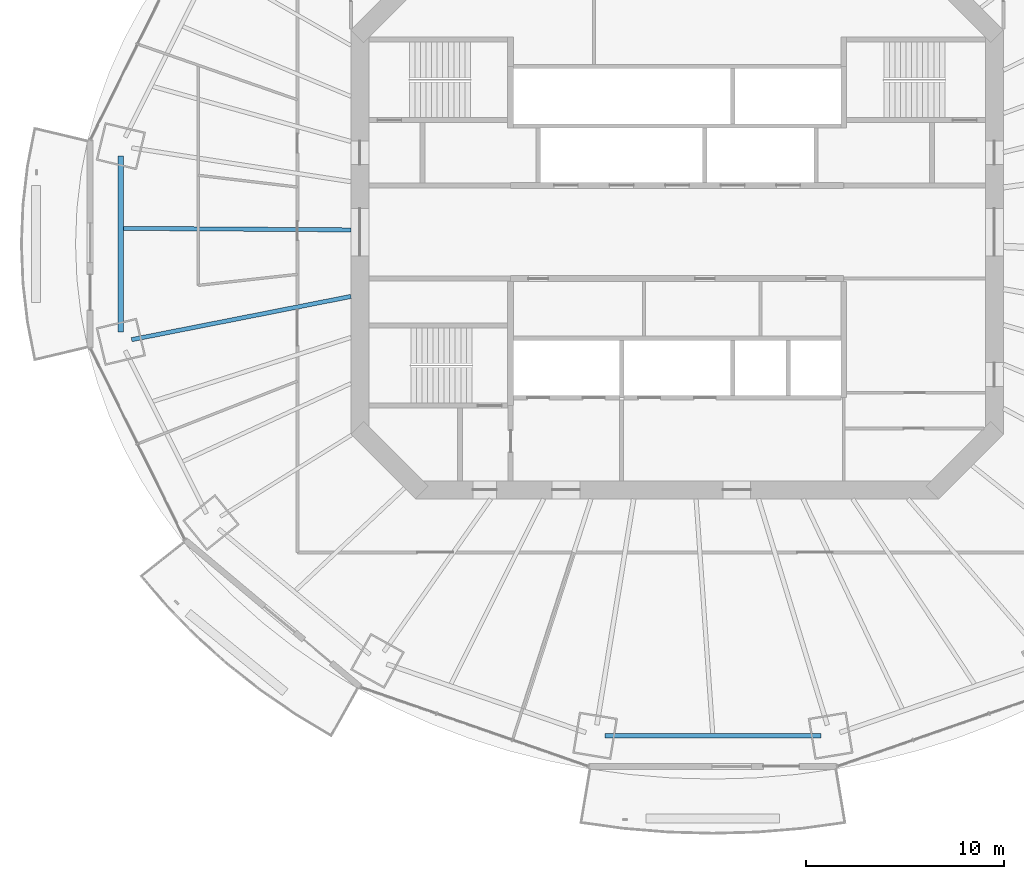
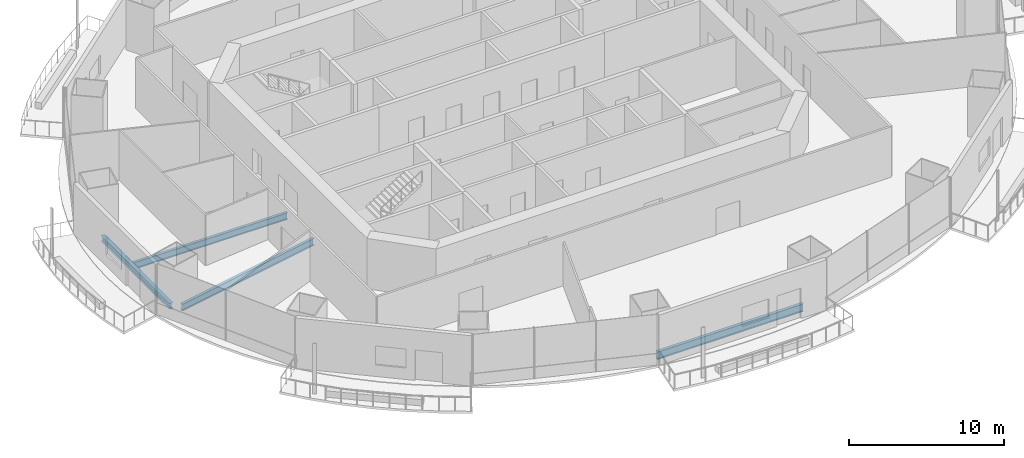
# One storey, part 3 of 20: 4 beams.
"""IFC4 building model written with IfcOpenShell, lengths in metres."""

from ifc_helpers import new_model, si_unit, direction, frame, origin, origin_2d, place, context, subcontext, project, spatial, i_section, extrude, material, material_profile, profile_set, type_object, element, save


model = new_model("IFC4")

# Units and contexts
model_context = context("Model", 3, precision=1e-05, world=origin(), true_north=direction((0.0, 1.0)))
body_context = subcontext(model_context, "Body", "Model", "MODEL_VIEW")
ifc_project = project(units=[si_unit("LENGTHUNIT", "METRE"), si_unit("AREAUNIT", "SQUARE_METRE"), si_unit("VOLUMEUNIT", "CUBIC_METRE"), si_unit("PLANEANGLEUNIT", "RADIAN"), si_unit("MASSUNIT", "GRAM", prefix="KILO")], contexts=[model_context])

# Site, building, storey
site_placement = place(None, origin())
site = spatial("IfcSite", under=ifc_project, at=site_placement, CompositionType="ELEMENT")
building_placement = place(site_placement, origin())
building = spatial("IfcBuilding", under=site, at=building_placement, Name="Marenthal Gate Tower", CompositionType="ELEMENT")
storey_placement = place(building_placement, frame((0.0, 0.0, 185.949951171875)))
storey = spatial("IfcBuildingStorey", under=building, at=storey_placement, Name="L40", CompositionType="ELEMENT", Elevation=185.949951171875)

# Beams
ifc_material_1 = material(Name="Steel S355", Category="steel")
ifc_material_profile_1 = material_profile(ifc_material_1, i_section(OverallWidth=0.279052734375, OverallDepth=0.4619140625, WebThickness=0.0107421875, FlangeThickness=0.017333984375, FilletRadius=0.010009765625, at=origin_2d()), Name="W460X113")
ifc_profile_set_1 = profile_set([ifc_material_profile_1], Name="Steel S355")
beam_type_1 = type_object("IfcBeamType", Name="W460X113 beam", PredefinedType="BEAM", material=ifc_profile_set_1)
beam_1_placement = place(storey_placement, frame((-28.05029296875, 3.82958984375, -0.410888671875), z_axis=(0.0, -1.0, 0.0), x_axis=(1.0, 0.0, 0.0)))
element("IfcBeam", 1, at=beam_1_placement, inside=storey, type_object=beam_type_1, Name="BM-L40-48", PredefinedType="BEAM", context=body_context, shape_type="SweptSolid", body=[
    extrude(i_section(OverallWidth=0.279052734375, OverallDepth=0.4619140625, WebThickness=0.0107421875, FlangeThickness=0.017333984375, FilletRadius=0.010009765625, at=origin_2d()), origin(), (0.0, 0.0, 1.0), 8.859130859375),
])
ifc_material_2 = material(Name="Steel S355", Category="steel")
ifc_material_profile_2 = material_profile(ifc_material_2, i_section(OverallWidth=0.2099609375, OverallDepth=0.535888671875, WebThickness=0.010986328125, FlangeThickness=0.017333984375, FilletRadius=0.0126953125, at=origin_2d()), Name="W530X101")
ifc_profile_set_2 = profile_set([ifc_material_profile_2], Name="Steel S355")
beam_type_2 = type_object("IfcBeamType", Name="W530X101 beam", PredefinedType="BEAM", material=ifc_profile_set_2)
beam_2_placement = place(storey_placement, frame((-27.91064453125, 0.188232421875, -0.447998046875), z_axis=(0.99997720015, -0.006752716538, 0.0), x_axis=(0.006752716538, 0.99997720015, 0.0)))
element("IfcBeam", 2, at=beam_2_placement, inside=storey, type_object=beam_type_2, Name="BM-L40-28", PredefinedType="BEAM", context=body_context, shape_type="SweptSolid", body=[
    extrude(i_section(OverallWidth=0.2099609375, OverallDepth=0.535888671875, WebThickness=0.010986328125, FlangeThickness=0.017333984375, FilletRadius=0.0126953125, at=origin_2d()), origin(), (0.0, 0.0, 1.0), 11.4609375),
])
ifc_material_3 = material(Name="Steel S355", Category="steel")
ifc_material_profile_3 = material_profile(ifc_material_3, i_section(OverallWidth=0.2119140625, OverallDepth=0.5439453125, WebThickness=0.01318359375, FlangeThickness=0.021240234375, FilletRadius=0.0126953125, at=origin_2d()), Name="W530X123")
ifc_profile_set_3 = profile_set([ifc_material_profile_3], Name="Steel S355")
beam_type_3 = type_object("IfcBeamType", Name="W530X123 beam", PredefinedType="BEAM", material=ifc_profile_set_3)
beam_3_placement = place(storey_placement, frame((-27.509765625, -5.425537109375, -0.451904296875), z_axis=(0.981102762899, 0.193487386233, 0.0), x_axis=(-0.193487386233, 0.981102762899, 0.0)))
element("IfcBeam", 3, at=beam_3_placement, inside=storey, type_object=beam_type_3, Name="BM-L40-09", PredefinedType="BEAM", context=body_context, shape_type="SweptSolid", body=[
    extrude(i_section(OverallWidth=0.2119140625, OverallDepth=0.5439453125, WebThickness=0.01318359375, FlangeThickness=0.021240234375, FilletRadius=0.0126953125, at=origin_2d()), origin(), (0.0, 0.0, 1.0), 11.27294921875),
])
ifc_material_4 = material(Name="Steel S355", Category="steel")
ifc_material_profile_4 = material_profile(ifc_material_4, i_section(OverallWidth=0.22900390625, OverallDepth=0.612060546875, WebThickness=0.011962890625, FlangeThickness=0.01953125, FilletRadius=0.0126953125, at=origin_2d()), Name="W610X125")
ifc_profile_set_4 = profile_set([ifc_material_profile_4], Name="Steel S355")
beam_type_4 = type_object("IfcBeamType", Name="W610X125 beam", PredefinedType="BEAM", material=ifc_profile_set_4)
beam_4_placement = place(storey_placement, frame((-3.6494140625, -25.395263671875, -0.48583984375), z_axis=(1.0, 0.0, 0.0), x_axis=(0.0, 1.0, 0.0)))
element("IfcBeam", 4, at=beam_4_placement, inside=storey, type_object=beam_type_4, Name="BM-L40-52", PredefinedType="BEAM", context=body_context, shape_type="SweptSolid", body=[
    extrude(i_section(OverallWidth=0.22900390625, OverallDepth=0.612060546875, WebThickness=0.011962890625, FlangeThickness=0.01953125, FilletRadius=0.0126953125, at=origin_2d()), origin(), (0.0, 0.0, 1.0), 10.89892578125),
])

save(model, "model.ifc")
